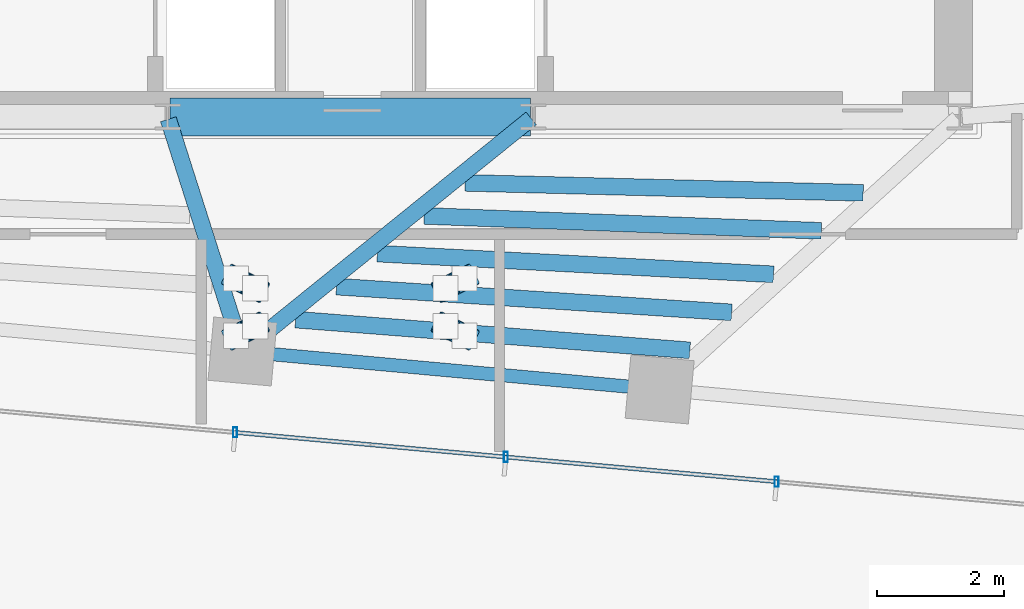
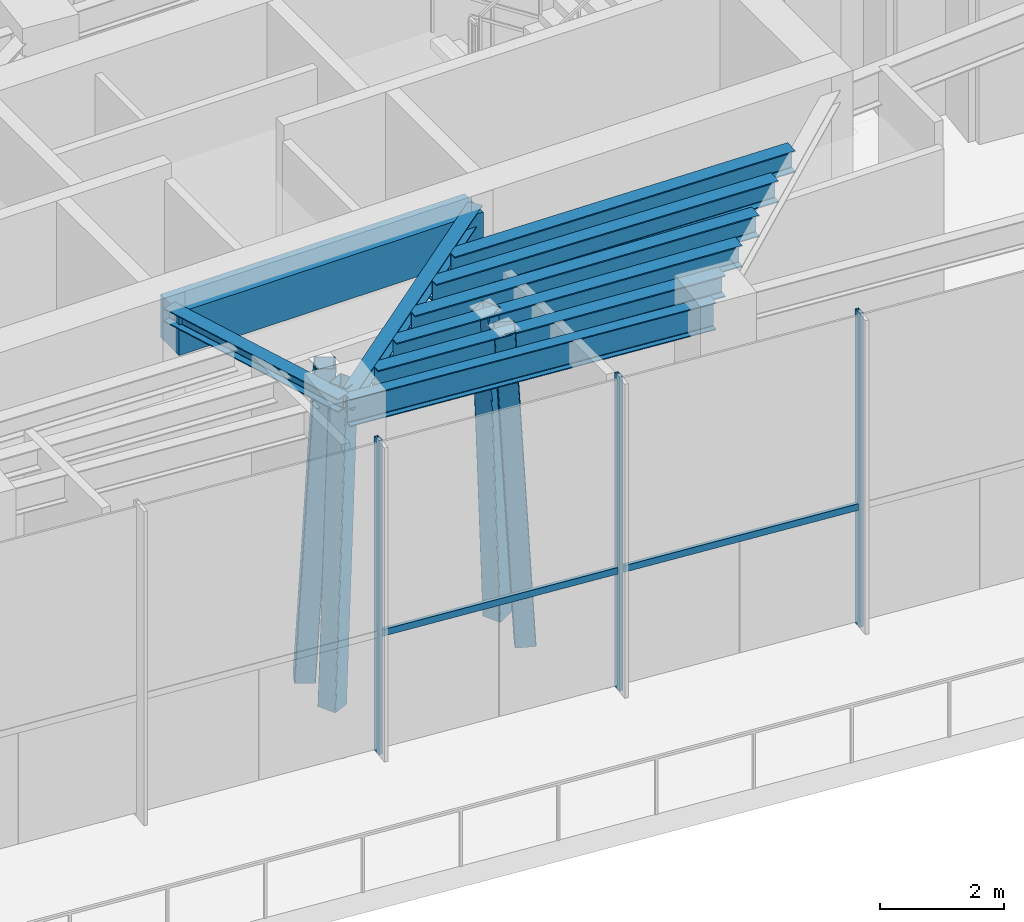
# One storey, part 6 of 18: 9 beams, 9 members, 1 element without a shape of its own.
"""IFC4 building model written with IfcOpenShell, lengths in metres."""

from ifc_helpers import new_model, si_unit, direction, frame, origin, origin_2d, place, context, subcontext, project, spatial, rectangle, hollow_rectangle, i_section, extrude, source, transform, mapped, material, material_profile, profile_set, type_object, type_shapes, element, aggregate, save


model = new_model("IFC4")

# Units and contexts
model_context = context("Model", 3, precision=1e-05, world=origin(), true_north=direction((0.0, 1.0)))
body_context = subcontext(model_context, "Body", "Model", "MODEL_VIEW")
ifc_project = project(units=[si_unit("LENGTHUNIT", "METRE"), si_unit("AREAUNIT", "SQUARE_METRE"), si_unit("VOLUMEUNIT", "CUBIC_METRE"), si_unit("PLANEANGLEUNIT", "RADIAN"), si_unit("MASSUNIT", "GRAM", prefix="KILO")], contexts=[model_context])

# Site, building, storey
site_placement = place(None, origin())
site = spatial("IfcSite", under=ifc_project, at=site_placement, CompositionType="ELEMENT")
building_placement = place(site_placement, origin())
building = spatial("IfcBuilding", under=site, at=building_placement, Name="Astriad Promenade Condominiums", CompositionType="ELEMENT")
storey_placement = place(building_placement, frame((0.0, 0.0, 264.300048828125)))
storey = spatial("IfcBuildingStorey", under=building, at=storey_placement, Name="L76", CompositionType="ELEMENT", Elevation=264.300048828125)

# Beams
ifc_material_1 = material(Name="Concrete C60/75", Category="concrete")
ifc_material_profile_1 = material_profile(ifc_material_1, rectangle(XDim=0.60009765625, YDim=0.85009765625, at=origin_2d()), Name="RC-BM-600X850")
ifc_profile_set_1 = profile_set([ifc_material_profile_1], Name="Concrete C60/75")
beam_type_1 = type_object("IfcBeamType", Name="CONCRETE CORE COUPLING LINTEL 600X850", PredefinedType="LINTEL", material=ifc_profile_set_1)
shared_shape_1 = source(origin(), body_context, "Body", "SweptSolid", [
    extrude(rectangle(XDim=0.60009765625, YDim=0.85009765625, at=origin_2d()), origin(), (0.0, 0.0, 1.0), 5.68017578125),
])
type_shapes(beam_type_1, [shared_shape_1])
beam_1_placement = place(storey_placement, frame((33.159912109375, 17.39990234375, 5.77490234375), z_axis=(1.0, 0.0, 0.0), x_axis=(0.0, 1.0, 0.0)))
element("IfcBeam", 1, at=beam_1_placement, inside=storey, type_object=beam_type_1, Name="Core Ring Beam CG-S2-L76", PredefinedType="LINTEL", context=body_context, shape_type="MappedRepresentation", body=[
    mapped(shared_shape_1, transform((0.0, 0.0, 0.0), scale=1.0)),
])
ifc_material_2 = material(Name="Steel ASTM A992 Grade 50", Category="steel")
ifc_material_profile_2 = material_profile(ifc_material_2, i_section(OverallWidth=0.210693359375, OverallDepth=0.53955078125, WebThickness=0.01171875, FlangeThickness=0.018798828125, FilletRadius=0.0166015625, at=origin_2d()), Name="W21X73")
ifc_profile_set_2 = profile_set([ifc_material_profile_2], Name="Steel ASTM A992 Grade 50")
beam_type_2 = type_object("IfcBeamType", Name="STEEL SPANDREL BEAM W21X73", PredefinedType="SPANDREL", material=ifc_profile_set_2)
shared_shape_2 = source(origin(), body_context, "Body", "SweptSolid", [
    extrude(i_section(OverallWidth=0.210693359375, OverallDepth=0.53955078125, WebThickness=0.01171875, FlangeThickness=0.018798828125, FilletRadius=0.0166015625, at=origin_2d()), origin(), (0.0, 0.0, 1.0), 6.52001953125),
])
type_shapes(beam_type_2, [shared_shape_2])
beam_2_placement = place(storey_placement, frame((34.339599609375, 13.69921875, 5.93017578125), z_axis=(0.995882457091, -0.090653911438, 0.0), x_axis=(0.090653911438, 0.995882457091, 0.0)))
element("IfcBeam", 2, at=beam_2_placement, inside=storey, type_object=beam_type_2, Name="Perimeter Spandrel Beam SP-S3-L76", PredefinedType="SPANDREL", context=body_context, shape_type="MappedRepresentation", body=[
    mapped(shared_shape_2, transform((0.0, 0.0, 0.0), scale=1.0)),
])
ifc_material_profile_3 = material_profile(ifc_material_2, i_section(OverallWidth=0.25732421875, OverallDepth=0.26416015625, WebThickness=0.011962890625, FlangeThickness=0.01953125, FilletRadius=0.0126953125, at=origin_2d()), Name="W10X68")
ifc_profile_set_3 = profile_set([ifc_material_profile_3], Name="Steel ASTM A992 Grade 50")
beam_type_3 = type_object("IfcBeamType", Name="STEEL CANOPY BEAM W10X68", PredefinedType="BEAM", material=ifc_profile_set_3)
shared_shape_3 = source(origin(), body_context, "Body", "SweptSolid", [
    extrude(i_section(OverallWidth=0.25732421875, OverallDepth=0.26416015625, WebThickness=0.011962890625, FlangeThickness=0.01953125, FilletRadius=0.0126953125, at=origin_2d()), origin(), (0.0, 0.0, 1.0), 3.801025390625),
])
beam_3_placement = place(storey_placement, frame((34.28759765625, 13.74072265625, 6.06787109375), z_axis=(-0.304004205404, 0.952670689744, 0.0), x_axis=(-0.952670689744, -0.304004205404, 0.0)))
element("IfcBeam", 3, at=beam_3_placement, inside=storey, type_object=beam_type_3, Name="Primary Floor Girder PG-C1-L76", PredefinedType="BEAM", context=body_context, shape_type="MappedRepresentation", body=[
    mapped(shared_shape_3, transform((0.0, 0.0, 0.0), scale=1.0)),
])
shared_shape_4 = source(origin(), body_context, "Body", "SweptSolid", [
    extrude(i_section(OverallWidth=0.25732421875, OverallDepth=0.26416015625, WebThickness=0.011962890625, FlangeThickness=0.01953125, FilletRadius=0.0126953125, at=origin_2d()), origin(), (0.0, 0.0, 1.0), 5.806396484375),
])
type_shapes(beam_type_3, [shared_shape_3, shared_shape_4])
beam_4_placement = place(storey_placement, frame((34.330810546875, 13.727783203125, 6.06787109375), z_axis=(0.77810873544, 0.628129601143, 0.0), x_axis=(-0.628129601143, 0.77810873544, 0.0)))
element("IfcBeam", 4, at=beam_4_placement, inside=storey, type_object=beam_type_3, Name="Primary Floor Girder PG-C2-L76", PredefinedType="BEAM", context=body_context, shape_type="MappedRepresentation", body=[
    mapped(shared_shape_4, transform((0.0, 0.0, 0.0), scale=1.0)),
])
ifc_material_profile_4 = material_profile(ifc_material_2, i_section(OverallWidth=0.26318359375, OverallDepth=0.425537109375, WebThickness=0.01318359375, FlangeThickness=0.022216796875, FilletRadius=0.013916015625, at=origin_2d()), Name="W16X89")
ifc_profile_set_4 = profile_set([ifc_material_profile_4], Name="Steel ASTM A992 Grade 50")
beam_type_4 = type_object("IfcBeamType", Name="STEEL FLOOR JOIST W16X89", PredefinedType="JOIST", material=ifc_profile_set_4)
shared_shape_5 = source(origin(), body_context, "Body", "SweptSolid", [
    extrude(i_section(OverallWidth=0.26318359375, OverallDepth=0.425537109375, WebThickness=0.01318359375, FlangeThickness=0.022216796875, FilletRadius=0.013916015625, at=origin_2d()), origin(), (0.0, 0.0, 1.0), 6.229248046875),
])
beam_5_placement = place(storey_placement, frame((35.1376953125, 14.205078125, 5.987060546875), z_axis=(0.996969269926, -0.077796367671, 0.0), x_axis=(0.077796367671, 0.996969269926, 0.0)))
element("IfcBeam", 5, at=beam_5_placement, inside=storey, type_object=beam_type_4, Name="Secondary Composite Floor Joist JCE-1-L76", PredefinedType="JOIST", context=body_context, shape_type="MappedRepresentation", body=[
    mapped(shared_shape_5, transform((0.0, 0.0, 0.0), scale=1.0)),
])
shared_shape_6 = source(origin(), body_context, "Body", "SweptSolid", [
    extrude(i_section(OverallWidth=0.26318359375, OverallDepth=0.425537109375, WebThickness=0.01318359375, FlangeThickness=0.022216796875, FilletRadius=0.013916015625, at=origin_2d()), origin(), (0.0, 0.0, 1.0), 6.2392578125),
])
beam_6_placement = place(storey_placement, frame((35.78173828125, 14.72509765625, 5.987060546875), z_axis=(0.997885626564, -0.064994432818, 0.0), x_axis=(0.064994432818, 0.997885626564, 0.0)))
element("IfcBeam", 6, at=beam_6_placement, inside=storey, type_object=beam_type_4, Name="Secondary Composite Floor Joist JCE-2-L76", PredefinedType="JOIST", context=body_context, shape_type="MappedRepresentation", body=[
    mapped(shared_shape_6, transform((0.0, 0.0, 0.0), scale=1.0)),
])
shared_shape_7 = source(origin(), body_context, "Body", "SweptSolid", [
    extrude(i_section(OverallWidth=0.26318359375, OverallDepth=0.425537109375, WebThickness=0.01318359375, FlangeThickness=0.022216796875, FilletRadius=0.013916015625, at=origin_2d()), origin(), (0.0, 0.0, 1.0), 6.25),
])
beam_7_placement = place(storey_placement, frame((36.42578125, 15.2451171875, 5.987060546875), z_axis=(0.998635255149, -0.052226690246, 0.0), x_axis=(0.052226690246, 0.998635255149, 0.0)))
element("IfcBeam", 7, at=beam_7_placement, inside=storey, type_object=beam_type_4, Name="Secondary Composite Floor Joist JCE-3-L76", PredefinedType="JOIST", context=body_context, shape_type="MappedRepresentation", body=[
    mapped(shared_shape_7, transform((0.0, 0.0, 0.0), scale=1.0)),
])
shared_shape_8 = source(origin(), body_context, "Body", "SweptSolid", [
    extrude(i_section(OverallWidth=0.26318359375, OverallDepth=0.425537109375, WebThickness=0.01318359375, FlangeThickness=0.022216796875, FilletRadius=0.013916015625, at=origin_2d()), origin(), (0.0, 0.0, 1.0), 6.263427734375),
])
beam_8_placement = place(storey_placement, frame((37.161865234375, 15.83935546875, 5.987060546875), z_axis=(0.999289399614, -0.03769211879, 0.0), x_axis=(0.03769211879, 0.999289399614, 0.0)))
element("IfcBeam", 8, at=beam_8_placement, inside=storey, type_object=beam_type_4, Name="Secondary Composite Floor Joist JCE-4-L76", PredefinedType="JOIST", context=body_context, shape_type="MappedRepresentation", body=[
    mapped(shared_shape_8, transform((0.0, 0.0, 0.0), scale=1.0)),
])
shared_shape_9 = source(origin(), body_context, "Body", "SweptSolid", [
    extrude(i_section(OverallWidth=0.26318359375, OverallDepth=0.425537109375, WebThickness=0.01318359375, FlangeThickness=0.022216796875, FilletRadius=0.013916015625, at=origin_2d()), origin(), (0.0, 0.0, 1.0), 6.27587890625),
])
type_shapes(beam_type_4, [shared_shape_5, shared_shape_6, shared_shape_7, shared_shape_8, shared_shape_9])
beam_9_placement = place(storey_placement, frame((37.80615234375, 16.359619140625, 5.987060546875), z_axis=(0.999685163085, -0.025091327348, 0.0), x_axis=(0.025091327348, 0.999685163085, 0.0)))
element("IfcBeam", 9, at=beam_9_placement, inside=storey, type_object=beam_type_4, Name="Secondary Composite Floor Joist JCE-5-L76", PredefinedType="JOIST", context=body_context, shape_type="MappedRepresentation", body=[
    mapped(shared_shape_9, transform((0.0, 0.0, 0.0), scale=1.0)),
])

# Members
ifc_material_3 = material(Name="Steel ASTM A500 Grade C", Category="steel")
ifc_material_profile_5 = material_profile(ifc_material_3, hollow_rectangle(XDim=0.355712890625, YDim=0.355712890625, WallThickness=0.014892578125, InnerFilletRadius=0.014892578125, OuterFilletRadius=0.029541015625, at=origin_2d()), Name="HSS356X356X15.9")
ifc_profile_set_5 = profile_set([ifc_material_profile_5], Name="Steel ASTM A500 Grade C")
member_type_1 = type_object("IfcMemberType", Name="HSS DAMPER FRAME STRUT 356X356", PredefinedType="STRUT", material=ifc_profile_set_5)
shared_shape_10 = source(origin(), body_context, "Body", "SweptSolid", [
    extrude(hollow_rectangle(XDim=0.355712890625, YDim=0.355712890625, WallThickness=0.014892578125, InnerFilletRadius=0.014892578125, OuterFilletRadius=0.029541015625, at=origin_2d()), origin(), (0.0, 0.0, 1.0), 6.208984375),
])
type_shapes(member_type_1, [shared_shape_10])
for number, where, z_axis, x_axis, name in (
    (10, (34.199951171875, 13.949951171875, 0.0), (0.048324643589, 0.024181981943, 0.998538912898), (-0.447504631744, 0.894281613681, 0.0), "Tuned Mass Damper Portal Strut STRUT-TMD-01"),
    (11, (37.800048828125, 13.949951171875, 0.0), (-0.048324643589, 0.024181981943, 0.998538912898), (-0.447504631744, -0.894281613681, 0.0), "Tuned Mass Damper Portal Strut STRUT-TMD-02"),
    (12, (37.800048828125, 14.85009765625, 0.0), (-0.048324643589, -0.024181981943, 0.998538912898), (0.447504631744, -0.894281613681, 0.0), "Tuned Mass Damper Portal Strut STRUT-TMD-03"),
    (13, (34.199951171875, 14.85009765625, 0.0), (0.048324643589, -0.024181981943, 0.998538912898), (0.447504631744, 0.894281613681, 0.0), "Tuned Mass Damper Portal Strut STRUT-TMD-04"),
):
    element("IfcMember", number, at=place(storey_placement, frame(where, z_axis=z_axis, x_axis=x_axis)), inside=storey, type_object=member_type_1, Name=name, PredefinedType="STRUT", context=body_context, shape_type="MappedRepresentation", body=[
        mapped(shared_shape_10, transform((0.0, 0.0, 0.0), scale=1.0)),
    ])

# Curtain wall, members
ifc_material_4 = material(Name="Anodised aluminium Black Dark Glass Unitised", Category="aluminium")
curtain_wall_type = type_object("IfcCurtainWallType", Name="CW-TMD-LANTERN", PredefinedType="USERDEFINED", material=ifc_material_4)
curtain_wall_placement = place(storey_placement, origin())
curtain_wall = element("IfcCurtainWall", 14, at=curtain_wall_placement, inside=storey, type_object=curtain_wall_type, Name="CW-LNT-L76-18-1", ObjectType="UNITISED_CURTAIN_WALL", PredefinedType="USERDEFINED")
ifc_material_5 = material(Name="Anodised aluminium 6063-T6 Black", Category="aluminium")
ifc_material_profile_6 = material_profile(ifc_material_5, hollow_rectangle(XDim=0.06494140625, YDim=0.159912109375, WallThickness=0.00390625, at=origin_2d()), Name="ALU-MUL-65X160")
ifc_profile_set_6 = profile_set([ifc_material_profile_6], Name="Anodised aluminium 6063-T6 Black")
member_type_2 = type_object("IfcMemberType", Name="MUL-ALU-MUL-65X160", PredefinedType="MULLION", material=ifc_profile_set_6)
shared_shape_11 = source(origin(), body_context, "Body", "SweptSolid", [
    extrude(hollow_rectangle(XDim=0.06494140625, YDim=0.159912109375, WallThickness=0.00390625, at=origin_2d()), origin(), (0.0, 0.0, 1.0), 6.199951171875),
])
type_shapes(member_type_2, [shared_shape_11])
member_1_placement = place(storey_placement, frame((42.715087890625, 11.651611328125, 0.0), z_axis=(0.0, 0.0, 1.0), x_axis=(1.0, 0.0, 0.0)))
member_1 = element("IfcMember", 15, at=member_1_placement, type_object=member_type_2, Name="CW-LNT-L76-18-1-MUL-01", PredefinedType="MULLION", context=body_context, shape_type="MappedRepresentation", body=[
    mapped(shared_shape_11, transform((0.0, 0.0, 0.0), scale=1.0)),
])
member_2_placement = place(storey_placement, frame((38.449462890625, 12.039794921875, 0.0), z_axis=(0.0, 0.0, 1.0), x_axis=(1.0, 0.0, 0.0)))
member_2 = element("IfcMember", 16, at=member_2_placement, type_object=member_type_2, Name="CW-LNT-L76-18-1-MUL-02", PredefinedType="MULLION", context=body_context, shape_type="MappedRepresentation", body=[
    mapped(shared_shape_11, transform((0.0, 0.0, 0.0), scale=1.0)),
])
member_3_placement = place(storey_placement, frame((34.18359375, 12.427978515625, 0.0), z_axis=(0.0, 0.0, 1.0), x_axis=(1.0, 0.0, 0.0)))
member_3 = element("IfcMember", 17, at=member_3_placement, type_object=member_type_2, Name="CW-LNT-L76-18-1-MUL-03", PredefinedType="MULLION", context=body_context, shape_type="MappedRepresentation", body=[
    mapped(shared_shape_11, transform((0.0, 0.0, 0.0), scale=1.0)),
])
ifc_material_profile_7 = material_profile(ifc_material_5, hollow_rectangle(XDim=0.06494140625, YDim=0.1298828125, WallThickness=0.00390625, at=origin_2d()), Name="ALU-TRN-65X130")
ifc_profile_set_7 = profile_set([ifc_material_profile_7], Name="Anodised aluminium 6063-T6 Black")
member_type_3 = type_object("IfcMemberType", Name="TRN-ALU-TRN-65X130", PredefinedType="USERDEFINED", material=ifc_profile_set_7)
shared_shape_12 = source(origin(), body_context, "Body", "SweptSolid", [
    extrude(hollow_rectangle(XDim=0.06494140625, YDim=0.1298828125, WallThickness=0.00390625, at=origin_2d()), origin(), (0.0, 0.0, 1.0), 4.283203125),
])
member_4_placement = place(storey_placement, frame((42.715087890625, 11.651611328125, 2.349853515625), z_axis=(-0.995884792497, 0.090628252065, 0.0), x_axis=(-0.090628252065, -0.995884792497, 0.0)))
member_4 = element("IfcMember", 18, at=member_4_placement, type_object=member_type_3, Name="CW-LNT-L76-18-1-TRN-01-0", ObjectType="TRANSOM", PredefinedType="USERDEFINED", context=body_context, shape_type="MappedRepresentation", body=[
    mapped(shared_shape_12, transform((0.0, 0.0, 0.0), scale=1.0)),
])
shared_shape_13 = source(origin(), body_context, "Body", "SweptSolid", [
    extrude(hollow_rectangle(XDim=0.06494140625, YDim=0.1298828125, WallThickness=0.00390625, at=origin_2d()), origin(), (0.0, 0.0, 1.0), 4.283447265625),
])
type_shapes(member_type_3, [shared_shape_12, shared_shape_13])
member_5_placement = place(storey_placement, frame((38.449462890625, 12.039794921875, 2.349853515625), z_axis=(-0.995885260617, 0.090623107903, 0.0), x_axis=(-0.090623107903, -0.995885260617, 0.0)))
member_5 = element("IfcMember", 19, at=member_5_placement, type_object=member_type_3, Name="CW-LNT-L76-18-1-TRN-02-0", ObjectType="TRANSOM", PredefinedType="USERDEFINED", context=body_context, shape_type="MappedRepresentation", body=[
    mapped(shared_shape_13, transform((0.0, 0.0, 0.0), scale=1.0)),
])
aggregate(curtain_wall, [member_1, member_2, member_3, member_4, member_5])

save(model, "model.ifc")
